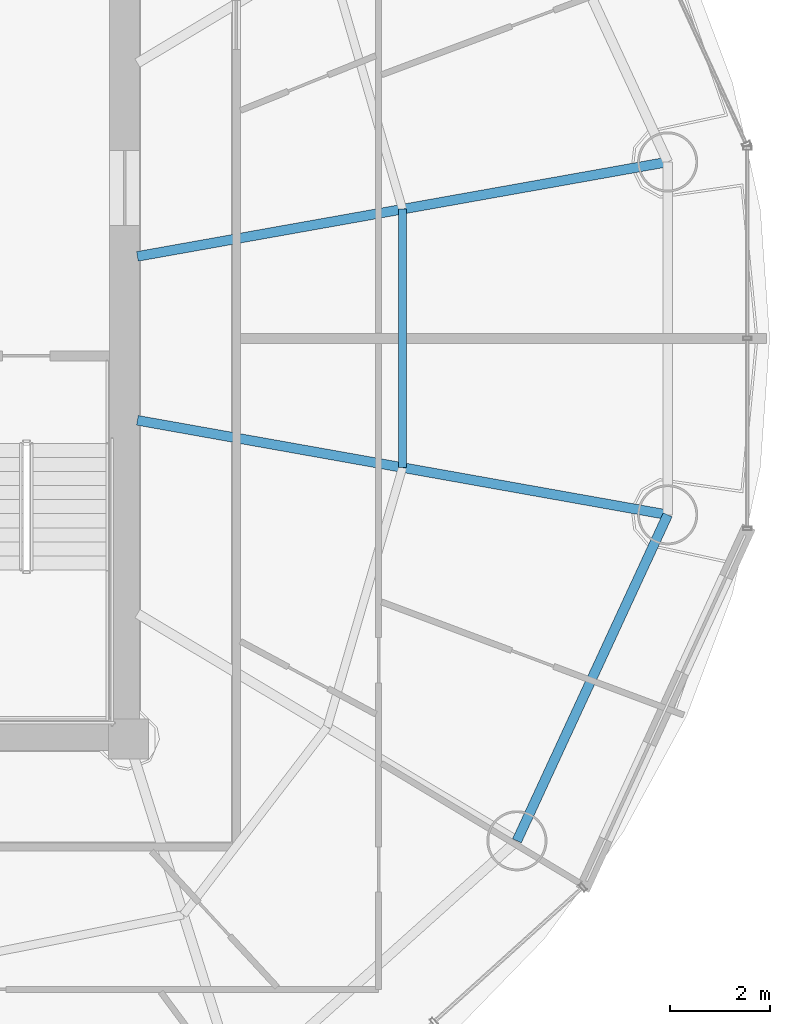
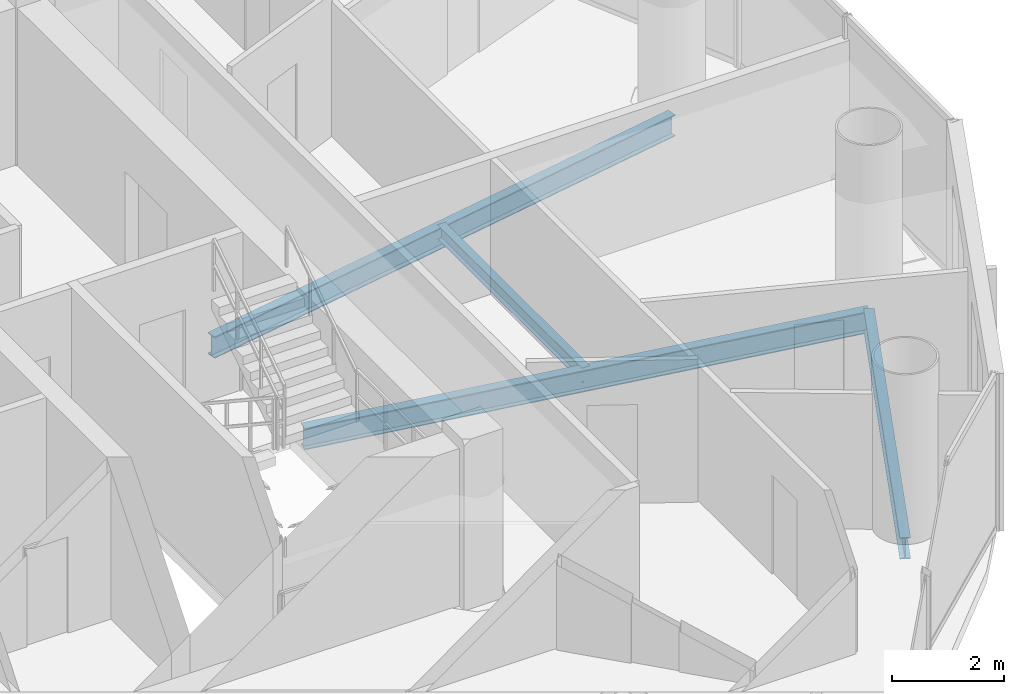
# One storey, part 11 of 26: 4 beams.
"""IFC4 building model written with IfcOpenShell, lengths in metres."""

from ifc_helpers import new_model, si_unit, direction, frame, origin, origin_2d, place, context, subcontext, project, spatial, i_section, extrude, material, material_profile, profile_set, type_object, element, save


model = new_model("IFC4")

# Units and contexts
model_context = context("Model", 3, precision=1e-05, world=origin(), true_north=direction((-0.2419218956, 0.970295726276)))
body_context = subcontext(model_context, "Body", "Model", "MODEL_VIEW")
ifc_project = project(units=[si_unit("LENGTHUNIT", "METRE"), si_unit("AREAUNIT", "SQUARE_METRE"), si_unit("VOLUMEUNIT", "CUBIC_METRE"), si_unit("PLANEANGLEUNIT", "RADIAN"), si_unit("MASSUNIT", "GRAM", prefix="KILO")], contexts=[model_context])

# Site, building, storey
site_placement = place(None, origin())
site = spatial("IfcSite", under=ifc_project, at=site_placement, CompositionType="ELEMENT")
building_placement = place(site_placement, origin())
building = spatial("IfcBuilding", under=site, at=building_placement, Name="Cobrevalo Terracotta Tower", CompositionType="ELEMENT")
storey_placement = place(building_placement, frame((0.0, 0.0, 213.39990234375)))
storey = spatial("IfcBuildingStorey", under=building, at=storey_placement, Name="L56", CompositionType="ELEMENT", Elevation=213.39990234375)

# Beams
ifc_material = material(Name="Steel S355", Category="steel")
ifc_material_profile_1 = material_profile(ifc_material, i_section(OverallWidth=0.194091796875, OverallDepth=0.468994140625, WebThickness=0.011474609375, FlangeThickness=0.0205078125, at=origin_2d()), Name="W 460x106")
ifc_profile_set_1 = profile_set([ifc_material_profile_1], Name="Steel S355")
beam_type_1 = type_object("IfcBeamType", Name="Structural Beam W 460x106 (Steel S355)", PredefinedType="BEAM", material=ifc_profile_set_1)
for number, where, z_axis, x_axis, name in (
    (1, (57.762939453125, 30.3212890625, -0.49951171875), (-0.98449712063, -0.175400739656, 0.0), (0.175400739656, -0.98449712063, 0.0), "L56 radial floor girder 01"),
    (2, (57.762939453125, 23.278564453125, -0.49951171875), (-0.984493198547, 0.175422752274, 0.0), (-0.175422752274, -0.984493198547, 0.0), "L56 radial floor girder 16"),
):
    element("IfcBeam", number, at=place(storey_placement, frame(where, z_axis=z_axis, x_axis=x_axis)), inside=storey, type_object=beam_type_1, Name=name, PredefinedType="BEAM", context=body_context, shape_type="SweptSolid", body=[
        extrude(i_section(OverallWidth=0.194091796875, OverallDepth=0.468994140625, WebThickness=0.011474609375, FlangeThickness=0.0205078125, at=origin_2d()), origin(), (0.0, 0.0, 1.0), 10.749755859375),
    ])
ifc_material_profile_2 = material_profile(ifc_material, i_section(OverallWidth=0.1650390625, OverallDepth=0.31005859375, WebThickness=0.005859375, FlangeThickness=0.009765625, at=origin_2d()), Name="W 310x38.7")
ifc_profile_set_2 = profile_set([ifc_material_profile_2], Name="Steel S355")
beam_type_2 = type_object("IfcBeamType", Name="Structural Joist W 310x38.7 (Steel S355)", PredefinedType="JOIST", material=ifc_profile_set_2)
beam_1_placement = place(storey_placement, frame((52.471435546875, 24.221435546875, -0.419921875), z_axis=(0.0, 1.0, 0.0), x_axis=(-1.0, 0.0, 0.0)))
element("IfcBeam", 3, at=beam_1_placement, inside=storey, type_object=beam_type_2, Name="L56 circumferential secondary floor joist 16", PredefinedType="JOIST", context=body_context, shape_type="SweptSolid", body=[
    extrude(i_section(OverallWidth=0.1650390625, OverallDepth=0.31005859375, WebThickness=0.005859375, FlangeThickness=0.009765625, at=origin_2d()), origin(), (0.0, 0.0, 1.0), 5.1572265625),
])
ifc_material_profile_3 = material_profile(ifc_material, i_section(OverallWidth=0.194091796875, OverallDepth=0.468994140625, WebThickness=0.011474609375, FlangeThickness=0.0205078125, at=origin_2d()), Name="W 460x106")
ifc_profile_set_3 = profile_set([ifc_material_profile_3], Name="Steel S355")
beam_type_3 = type_object("IfcBeamType", Name="Structural Spandrel W 460x106 (Steel S355)", PredefinedType="SPANDREL", material=ifc_profile_set_3)
beam_2_placement = place(storey_placement, frame((54.754150390625, 16.77197265625, -0.49951171875), z_axis=(0.419718939129, 0.90765412583, 0.0), x_axis=(-0.90765412583, 0.419718939129, 0.0)))
element("IfcBeam", 4, at=beam_2_placement, inside=storey, type_object=beam_type_3, Name="L56 perimeter ring spandrel 15", PredefinedType="SPANDREL", context=body_context, shape_type="SweptSolid", body=[
    extrude(i_section(OverallWidth=0.194091796875, OverallDepth=0.468994140625, WebThickness=0.011474609375, FlangeThickness=0.0205078125, at=origin_2d()), origin(), (0.0, 0.0, 1.0), 7.168701171875),
])

save(model, "model.ifc")
